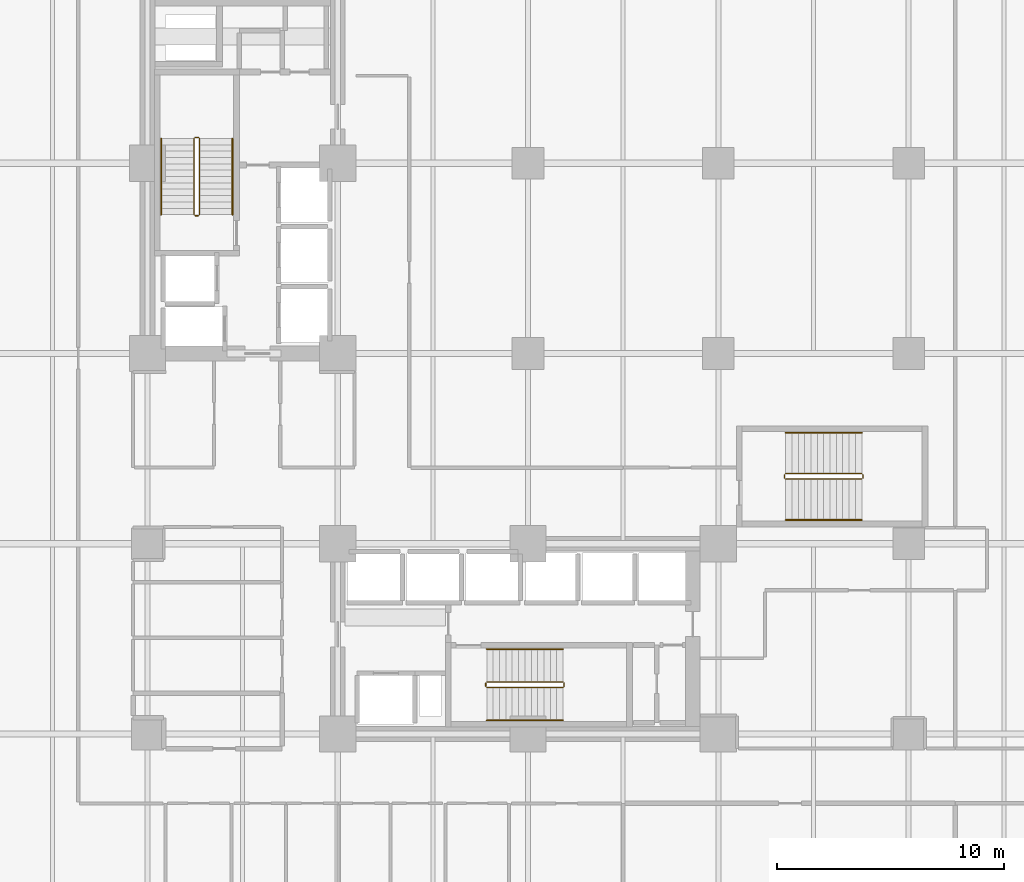
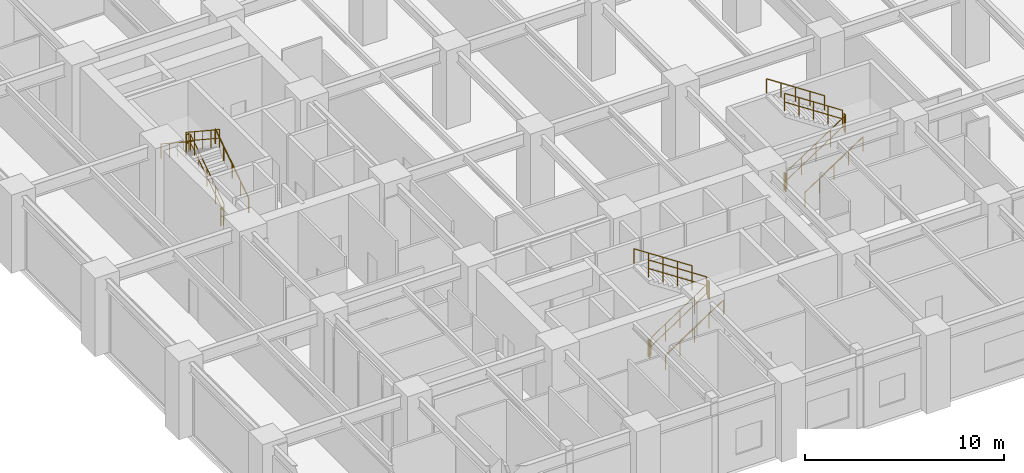
# One storey, part 24 of 24: 18 railings.
"""IFC4 building model written with IfcOpenShell, lengths in metres."""

from ifc_helpers import new_model, si_unit, direction, frame, origin, origin_2d, place, context, subcontext, project, spatial, circle, extrude, material, type_object, element, save


model = new_model("IFC4")

# Units and contexts
model_context = context("Model", 3, precision=1e-05, world=origin(), true_north=direction((0.0, 1.0)))
body_context = subcontext(model_context, "Body", "Model", "MODEL_VIEW")
ifc_project = project(units=[si_unit("LENGTHUNIT", "METRE"), si_unit("AREAUNIT", "SQUARE_METRE"), si_unit("VOLUMEUNIT", "CUBIC_METRE"), si_unit("PLANEANGLEUNIT", "RADIAN"), si_unit("MASSUNIT", "GRAM", prefix="KILO")], contexts=[model_context])

# Site, building, storey
site_placement = place(None, origin())
site = spatial("IfcSite", under=ifc_project, at=site_placement, CompositionType="ELEMENT")
building_placement = place(site_placement, origin())
building = spatial("IfcBuilding", under=site, at=building_placement, Name="Nerrivon Quay Data Exchange", CompositionType="ELEMENT")
storey_placement = place(building_placement, frame((0.0, 0.0, 10.199951171875)))
storey = spatial("IfcBuildingStorey", under=building, at=storey_placement, Name="L02", CompositionType="ELEMENT", Elevation=10.199951171875)

# Railings
ifc_material = material(Name="Steel Grade C350L0 (350 MPa)", Category="steel")
railing_type_1 = type_object("IfcRailingType", Name="RAIL-HAND-HR1", PredefinedType="HANDRAIL", material=ifc_material)
railing_1_placement = place(storey_placement, frame((12.14990234375, 31.330078125, 0.1845703125)))
element("IfcRailing", 1, at=railing_1_placement, inside=storey, type_object=railing_type_1, Name="L02 ST01 stair handrail 1", PredefinedType="HANDRAIL", context=body_context, shape_type="SweptSolid", body=[
    extrude(circle(Radius=0.02392578125, at=origin_2d()), frame((0.0, 0.0, 0.8759765625), z_axis=(0.0, 0.83483021737, 0.550507500554), x_axis=(-1.0, 0.0, 0.0)), (0.0, 0.0, 1.0), 4.024658203125),
    extrude(circle(Radius=0.02099609375, at=origin_2d()), origin(), (0.0, 0.0, 1.0), 0.851806640625),
    extrude(circle(Radius=0.02099609375, at=origin_2d()), frame((0.0, 0.83984375, 0.553955078125)), (0.0, 0.0, 1.0), 0.851806640625),
    extrude(circle(Radius=0.02099609375, at=origin_2d()), frame((0.0, 1.679931640625, 1.10791015625)), (0.0, 0.0, 1.0), 0.851806640625),
    extrude(circle(Radius=0.02099609375, at=origin_2d()), frame((0.0, 2.52001953125, 1.66162109375)), (0.0, 0.0, 1.0), 0.851806640625),
    extrude(circle(Radius=0.02099609375, at=origin_2d()), frame((0.0, 3.35986328125, 2.215576171875)), (0.0, 0.0, 1.0), 0.851806640625),
])
railing_2_placement = place(storey_placement, frame((9.0, 34.68994140625, 2.584716796875)))
element("IfcRailing", 2, at=railing_2_placement, inside=storey, type_object=railing_type_1, Name="L02 ST01 stair handrail 2", PredefinedType="HANDRAIL", context=body_context, shape_type="SweptSolid", body=[
    extrude(circle(Radius=0.02392578125, at=origin_2d()), frame((0.0, 0.0, 0.8759765625), z_axis=(0.0, -0.834858096282, 0.550465220583), x_axis=(1.0, 0.0, 0.0)), (0.0, 0.0, 1.0), 4.0244140625),
    extrude(circle(Radius=0.02099609375, at=origin_2d()), origin(), (0.0, 0.0, 1.0), 0.851806640625),
    extrude(circle(Radius=0.02099609375, at=origin_2d()), frame((0.0, -0.83984375, 0.5537109375)), (0.0, 0.0, 1.0), 0.851806640625),
    extrude(circle(Radius=0.02099609375, at=origin_2d()), frame((0.0, -1.679931640625, 1.107666015625)), (0.0, 0.0, 1.0), 0.851806640625),
    extrude(circle(Radius=0.02099609375, at=origin_2d()), frame((0.0, -2.52001953125, 1.66162109375)), (0.0, 0.0, 1.0), 0.851806640625),
    extrude(circle(Radius=0.02099609375, at=origin_2d()), frame((0.0, -3.35986328125, 2.21533203125)), (0.0, 0.0, 1.0), 0.851806640625),
])
railing_3_placement = place(storey_placement, frame((23.3798828125, 9.0, 0.1845703125)))
element("IfcRailing", 3, at=railing_3_placement, inside=storey, type_object=railing_type_1, Name="L02 ST02 stair handrail 1", PredefinedType="HANDRAIL", context=body_context, shape_type="SweptSolid", body=[
    extrude(circle(Radius=0.02392578125, at=origin_2d()), frame((0.0, 0.0, 0.8759765625), z_axis=(0.834848600103, 0.0, 0.550479622607), x_axis=(0.0, 1.0, 0.0)), (0.0, 0.0, 1.0), 4.02490234375),
    extrude(circle(Radius=0.02099609375, at=origin_2d()), origin(), (0.0, 0.0, 1.0), 0.851806640625),
    extrude(circle(Radius=0.02099609375, at=origin_2d()), frame((0.840087890625, 0.0, 0.553955078125)), (0.0, 0.0, 1.0), 0.851806640625),
    extrude(circle(Radius=0.02099609375, at=origin_2d()), frame((1.68017578125, 0.0, 1.10791015625)), (0.0, 0.0, 1.0), 0.851806640625),
    extrude(circle(Radius=0.02099609375, at=origin_2d()), frame((2.52001953125, 0.0, 1.66162109375)), (0.0, 0.0, 1.0), 0.851806640625),
    extrude(circle(Radius=0.02099609375, at=origin_2d()), frame((3.360107421875, 0.0, 2.215576171875)), (0.0, 0.0, 1.0), 0.851806640625),
])
railing_4_placement = place(storey_placement, frame((26.739990234375, 12.14990234375, 2.584716796875)))
element("IfcRailing", 4, at=railing_4_placement, inside=storey, type_object=railing_type_1, Name="L02 ST02 stair handrail 2", PredefinedType="HANDRAIL", context=body_context, shape_type="SweptSolid", body=[
    extrude(circle(Radius=0.02392578125, at=origin_2d()), frame((0.0, 0.0, 0.8759765625), z_axis=(-0.834876476806, 0.0, 0.550437342915), x_axis=(0.0, -1.0, 0.0)), (0.0, 0.0, 1.0), 4.024658203125),
    extrude(circle(Radius=0.02099609375, at=origin_2d()), origin(), (0.0, 0.0, 1.0), 0.851806640625),
    extrude(circle(Radius=0.02099609375, at=origin_2d()), frame((-0.840087890625, 0.0, 0.5537109375)), (0.0, 0.0, 1.0), 0.851806640625),
    extrude(circle(Radius=0.02099609375, at=origin_2d()), frame((-1.68017578125, 0.0, 1.107666015625)), (0.0, 0.0, 1.0), 0.851806640625),
    extrude(circle(Radius=0.02099609375, at=origin_2d()), frame((-2.52001953125, 0.0, 1.66162109375)), (0.0, 0.0, 1.0), 0.851806640625),
    extrude(circle(Radius=0.02099609375, at=origin_2d()), frame((-3.360107421875, 0.0, 2.21533203125)), (0.0, 0.0, 1.0), 0.851806640625),
])
railing_5_placement = place(storey_placement, frame((36.570068359375, 17.85009765625, 0.1845703125)))
element("IfcRailing", 5, at=railing_5_placement, inside=storey, type_object=railing_type_1, Name="L02 ST03 stair handrail 1", PredefinedType="HANDRAIL", context=body_context, shape_type="SweptSolid", body=[
    extrude(circle(Radius=0.02392578125, at=origin_2d()), frame((0.0, 0.0, 0.8759765625), z_axis=(0.83483021737, 0.0, 0.550507500554), x_axis=(0.0, 1.0, 0.0)), (0.0, 0.0, 1.0), 4.024658203125),
    extrude(circle(Radius=0.02099609375, at=origin_2d()), origin(), (0.0, 0.0, 1.0), 0.851806640625),
    extrude(circle(Radius=0.02099609375, at=origin_2d()), frame((0.83984375, 0.0, 0.553955078125)), (0.0, 0.0, 1.0), 0.851806640625),
    extrude(circle(Radius=0.02099609375, at=origin_2d()), frame((1.679931640625, 0.0, 1.10791015625)), (0.0, 0.0, 1.0), 0.851806640625),
    extrude(circle(Radius=0.02099609375, at=origin_2d()), frame((2.52001953125, 0.0, 1.66162109375)), (0.0, 0.0, 1.0), 0.851806640625),
    extrude(circle(Radius=0.02099609375, at=origin_2d()), frame((3.35986328125, 0.0, 2.215576171875)), (0.0, 0.0, 1.0), 0.851806640625),
])
railing_6_placement = place(storey_placement, frame((39.929931640625, 21.699951171875, 2.584716796875)))
element("IfcRailing", 6, at=railing_6_placement, inside=storey, type_object=railing_type_1, Name="L02 ST03 stair handrail 2", PredefinedType="HANDRAIL", context=body_context, shape_type="SweptSolid", body=[
    extrude(circle(Radius=0.02392578125, at=origin_2d()), frame((0.0, 0.0, 0.8759765625), z_axis=(-0.834858096282, 0.0, 0.550465220583), x_axis=(0.0, -1.0, 0.0)), (0.0, 0.0, 1.0), 4.0244140625),
    extrude(circle(Radius=0.02099609375, at=origin_2d()), origin(), (0.0, 0.0, 1.0), 0.851806640625),
    extrude(circle(Radius=0.02099609375, at=origin_2d()), frame((-0.83984375, 0.0, 0.5537109375)), (0.0, 0.0, 1.0), 0.851806640625),
    extrude(circle(Radius=0.02099609375, at=origin_2d()), frame((-1.679931640625, 0.0, 1.107666015625)), (0.0, 0.0, 1.0), 0.851806640625),
    extrude(circle(Radius=0.02099609375, at=origin_2d()), frame((-2.52001953125, 0.0, 1.66162109375)), (0.0, 0.0, 1.0), 0.851806640625),
    extrude(circle(Radius=0.02099609375, at=origin_2d()), frame((-3.35986328125, 0.0, 2.21533203125)), (0.0, 0.0, 1.0), 0.851806640625),
])
railing_type_2 = type_object("IfcRailingType", Name="RAIL-STAIR-GR1", PredefinedType="BALUSTRADE", material=ifc_material)
railing_7_placement = place(storey_placement, frame((10.699951171875, 31.330078125, 0.1845703125)))
element("IfcRailing", 7, at=railing_7_placement, inside=storey, type_object=railing_type_2, Name="L02 ST01 stair guard 1", PredefinedType="BALUSTRADE", context=body_context, shape_type="SweptSolid", body=[
    extrude(circle(Radius=0.02392578125, at=origin_2d()), frame((0.0, 0.0, 1.076171875), z_axis=(0.0, 0.83483021737, 0.550507500554), x_axis=(-1.0, 0.0, 0.0)), (0.0, 0.0, 1.0), 4.024658203125),
    extrude(circle(Radius=0.02392578125, at=origin_2d()), frame((0.0, 0.0, 0.550048828125), z_axis=(0.0, 0.83483021737, 0.550507500554), x_axis=(-1.0, 0.0, 0.0)), (0.0, 0.0, 1.0), 4.024658203125),
    extrude(circle(Radius=0.02099609375, at=origin_2d()), origin(), (0.0, 0.0, 1.0), 1.052001953125),
    extrude(circle(Radius=0.02099609375, at=origin_2d()), frame((0.0, 0.83984375, 0.553955078125)), (0.0, 0.0, 1.0), 1.052001953125),
    extrude(circle(Radius=0.02099609375, at=origin_2d()), frame((0.0, 1.679931640625, 1.10791015625)), (0.0, 0.0, 1.0), 1.052001953125),
    extrude(circle(Radius=0.02099609375, at=origin_2d()), frame((0.0, 2.52001953125, 1.66162109375)), (0.0, 0.0, 1.0), 1.052001953125),
    extrude(circle(Radius=0.02099609375, at=origin_2d()), frame((0.0, 3.35986328125, 2.215576171875)), (0.0, 0.0, 1.0), 1.052001953125),
])
railing_8_placement = place(storey_placement, frame((10.64990234375, 34.739990234375, 2.400146484375)))
element("IfcRailing", 8, at=railing_8_placement, inside=storey, type_object=railing_type_2, Name="L02 ST01 stair guard 2", PredefinedType="BALUSTRADE", context=body_context, shape_type="SweptSolid", body=[
    extrude(circle(Radius=0.02392578125, at=origin_2d()), frame((0.0, 0.0, 1.076171875), z_axis=(-1.0, 0.0, 0.0), x_axis=(0.0, -1.0, 0.0)), (0.0, 0.0, 1.0), 0.14990234375),
    extrude(circle(Radius=0.02392578125, at=origin_2d()), frame((0.0, 0.0, 0.550048828125), z_axis=(-1.0, 0.0, 0.0), x_axis=(0.0, -1.0, 0.0)), (0.0, 0.0, 1.0), 0.14990234375),
    extrude(circle(Radius=0.02099609375, at=origin_2d()), origin(), (0.0, 0.0, 1.0), 1.052001953125),
    extrude(circle(Radius=0.02099609375, at=origin_2d()), frame((-0.14990234375, 0.0, 0.0)), (0.0, 0.0, 1.0), 1.052001953125),
])
railing_9_placement = place(storey_placement, frame((10.449951171875, 34.68994140625, 2.584716796875)))
element("IfcRailing", 9, at=railing_9_placement, inside=storey, type_object=railing_type_2, Name="L02 ST01 stair guard 3", PredefinedType="BALUSTRADE", context=body_context, shape_type="SweptSolid", body=[
    extrude(circle(Radius=0.02392578125, at=origin_2d()), frame((0.0, 0.0, 1.076171875), z_axis=(0.0, -0.834858096282, 0.550465220583), x_axis=(1.0, 0.0, 0.0)), (0.0, 0.0, 1.0), 4.0244140625),
    extrude(circle(Radius=0.02392578125, at=origin_2d()), frame((0.0, 0.0, 0.550048828125), z_axis=(0.0, -0.834858096282, 0.550465220583), x_axis=(1.0, 0.0, 0.0)), (0.0, 0.0, 1.0), 4.0244140625),
    extrude(circle(Radius=0.02099609375, at=origin_2d()), origin(), (0.0, 0.0, 1.0), 1.052001953125),
    extrude(circle(Radius=0.02099609375, at=origin_2d()), frame((0.0, -0.83984375, 0.5537109375)), (0.0, 0.0, 1.0), 1.052001953125),
    extrude(circle(Radius=0.02099609375, at=origin_2d()), frame((0.0, -1.679931640625, 1.107666015625)), (0.0, 0.0, 1.0), 1.052001953125),
    extrude(circle(Radius=0.02099609375, at=origin_2d()), frame((0.0, -2.52001953125, 1.66162109375)), (0.0, 0.0, 1.0), 1.052001953125),
    extrude(circle(Radius=0.02099609375, at=origin_2d()), frame((0.0, -3.35986328125, 2.21533203125)), (0.0, 0.0, 1.0), 1.052001953125),
])
railing_10_placement = place(storey_placement, frame((10.64990234375, 31.280029296875, 0.0)))
element("IfcRailing", 10, at=railing_10_placement, inside=storey, type_object=railing_type_2, Name="L02 ST01 stair guard 4", PredefinedType="BALUSTRADE", context=body_context, shape_type="SweptSolid", body=[
    extrude(circle(Radius=0.02392578125, at=origin_2d()), frame((0.0, 0.0, 1.076171875), z_axis=(-1.0, 0.0, 0.0), x_axis=(0.0, -1.0, 0.0)), (0.0, 0.0, 1.0), 0.14990234375),
    extrude(circle(Radius=0.02392578125, at=origin_2d()), frame((0.0, 0.0, 0.550048828125), z_axis=(-1.0, 0.0, 0.0), x_axis=(0.0, -1.0, 0.0)), (0.0, 0.0, 1.0), 0.14990234375),
    extrude(circle(Radius=0.02099609375, at=origin_2d()), origin(), (0.0, 0.0, 1.0), 1.052001953125),
    extrude(circle(Radius=0.02099609375, at=origin_2d()), frame((-0.14990234375, 0.0, 0.0)), (0.0, 0.0, 1.0), 1.052001953125),
])
railing_11_placement = place(storey_placement, frame((23.3798828125, 10.449951171875, 0.1845703125)))
element("IfcRailing", 11, at=railing_11_placement, inside=storey, type_object=railing_type_2, Name="L02 ST02 stair guard 1", PredefinedType="BALUSTRADE", context=body_context, shape_type="SweptSolid", body=[
    extrude(circle(Radius=0.02392578125, at=origin_2d()), frame((0.0, 0.0, 1.076171875), z_axis=(0.834848600103, 0.0, 0.550479622607), x_axis=(0.0, 1.0, 0.0)), (0.0, 0.0, 1.0), 4.02490234375),
    extrude(circle(Radius=0.02392578125, at=origin_2d()), frame((0.0, 0.0, 0.550048828125), z_axis=(0.834848600103, 0.0, 0.550479622607), x_axis=(0.0, 1.0, 0.0)), (0.0, 0.0, 1.0), 4.02490234375),
    extrude(circle(Radius=0.02099609375, at=origin_2d()), origin(), (0.0, 0.0, 1.0), 1.052001953125),
    extrude(circle(Radius=0.02099609375, at=origin_2d()), frame((0.840087890625, 0.0, 0.553955078125)), (0.0, 0.0, 1.0), 1.052001953125),
    extrude(circle(Radius=0.02099609375, at=origin_2d()), frame((1.68017578125, 0.0, 1.10791015625)), (0.0, 0.0, 1.0), 1.052001953125),
    extrude(circle(Radius=0.02099609375, at=origin_2d()), frame((2.52001953125, 0.0, 1.66162109375)), (0.0, 0.0, 1.0), 1.052001953125),
    extrude(circle(Radius=0.02099609375, at=origin_2d()), frame((3.360107421875, 0.0, 2.215576171875)), (0.0, 0.0, 1.0), 1.052001953125),
])
railing_12_placement = place(storey_placement, frame((26.7900390625, 10.5, 2.400146484375)))
element("IfcRailing", 12, at=railing_12_placement, inside=storey, type_object=railing_type_2, Name="L02 ST02 stair guard 2", PredefinedType="BALUSTRADE", context=body_context, shape_type="SweptSolid", body=[
    extrude(circle(Radius=0.02392578125, at=origin_2d()), frame((0.0, 0.0, 1.076171875), z_axis=(0.0, 1.0, 0.0), x_axis=(-1.0, 0.0, 0.0)), (0.0, 0.0, 1.0), 0.14990234375),
    extrude(circle(Radius=0.02392578125, at=origin_2d()), frame((0.0, 0.0, 0.550048828125), z_axis=(0.0, 1.0, 0.0), x_axis=(-1.0, 0.0, 0.0)), (0.0, 0.0, 1.0), 0.14990234375),
    extrude(circle(Radius=0.02099609375, at=origin_2d()), origin(), (0.0, 0.0, 1.0), 1.052001953125),
    extrude(circle(Radius=0.02099609375, at=origin_2d()), frame((0.0, 0.14990234375, 0.0)), (0.0, 0.0, 1.0), 1.052001953125),
])
railing_13_placement = place(storey_placement, frame((26.739990234375, 10.699951171875, 2.584716796875)))
element("IfcRailing", 13, at=railing_13_placement, inside=storey, type_object=railing_type_2, Name="L02 ST02 stair guard 3", PredefinedType="BALUSTRADE", context=body_context, shape_type="SweptSolid", body=[
    extrude(circle(Radius=0.02392578125, at=origin_2d()), frame((0.0, 0.0, 1.076171875), z_axis=(-0.834876476806, 0.0, 0.550437342915), x_axis=(0.0, -1.0, 0.0)), (0.0, 0.0, 1.0), 4.024658203125),
    extrude(circle(Radius=0.02392578125, at=origin_2d()), frame((0.0, 0.0, 0.550048828125), z_axis=(-0.834876476806, 0.0, 0.550437342915), x_axis=(0.0, -1.0, 0.0)), (0.0, 0.0, 1.0), 4.024658203125),
    extrude(circle(Radius=0.02099609375, at=origin_2d()), origin(), (0.0, 0.0, 1.0), 1.052001953125),
    extrude(circle(Radius=0.02099609375, at=origin_2d()), frame((-0.840087890625, 0.0, 0.5537109375)), (0.0, 0.0, 1.0), 1.052001953125),
    extrude(circle(Radius=0.02099609375, at=origin_2d()), frame((-1.68017578125, 0.0, 1.107666015625)), (0.0, 0.0, 1.0), 1.052001953125),
    extrude(circle(Radius=0.02099609375, at=origin_2d()), frame((-2.52001953125, 0.0, 1.66162109375)), (0.0, 0.0, 1.0), 1.052001953125),
    extrude(circle(Radius=0.02099609375, at=origin_2d()), frame((-3.360107421875, 0.0, 2.21533203125)), (0.0, 0.0, 1.0), 1.052001953125),
])
railing_14_placement = place(storey_placement, frame((23.330078125, 10.5, 0.0)))
element("IfcRailing", 14, at=railing_14_placement, inside=storey, type_object=railing_type_2, Name="L02 ST02 stair guard 4", PredefinedType="BALUSTRADE", context=body_context, shape_type="SweptSolid", body=[
    extrude(circle(Radius=0.02392578125, at=origin_2d()), frame((0.0, 0.0, 1.076171875), z_axis=(0.0, 1.0, 0.0), x_axis=(-1.0, 0.0, 0.0)), (0.0, 0.0, 1.0), 0.14990234375),
    extrude(circle(Radius=0.02392578125, at=origin_2d()), frame((0.0, 0.0, 0.550048828125), z_axis=(0.0, 1.0, 0.0), x_axis=(-1.0, 0.0, 0.0)), (0.0, 0.0, 1.0), 0.14990234375),
    extrude(circle(Radius=0.02099609375, at=origin_2d()), origin(), (0.0, 0.0, 1.0), 1.052001953125),
    extrude(circle(Radius=0.02099609375, at=origin_2d()), frame((0.0, 0.14990234375, 0.0)), (0.0, 0.0, 1.0), 1.052001953125),
])
railing_15_placement = place(storey_placement, frame((36.570068359375, 19.64990234375, 0.1845703125)))
element("IfcRailing", 15, at=railing_15_placement, inside=storey, type_object=railing_type_2, Name="L02 ST03 stair guard 1", PredefinedType="BALUSTRADE", context=body_context, shape_type="SweptSolid", body=[
    extrude(circle(Radius=0.02392578125, at=origin_2d()), frame((0.0, 0.0, 1.076171875), z_axis=(0.83483021737, 0.0, 0.550507500554), x_axis=(0.0, 1.0, 0.0)), (0.0, 0.0, 1.0), 4.024658203125),
    extrude(circle(Radius=0.02392578125, at=origin_2d()), frame((0.0, 0.0, 0.550048828125), z_axis=(0.83483021737, 0.0, 0.550507500554), x_axis=(0.0, 1.0, 0.0)), (0.0, 0.0, 1.0), 4.024658203125),
    extrude(circle(Radius=0.02099609375, at=origin_2d()), origin(), (0.0, 0.0, 1.0), 1.052001953125),
    extrude(circle(Radius=0.02099609375, at=origin_2d()), frame((0.83984375, 0.0, 0.553955078125)), (0.0, 0.0, 1.0), 1.052001953125),
    extrude(circle(Radius=0.02099609375, at=origin_2d()), frame((1.679931640625, 0.0, 1.10791015625)), (0.0, 0.0, 1.0), 1.052001953125),
    extrude(circle(Radius=0.02099609375, at=origin_2d()), frame((2.52001953125, 0.0, 1.66162109375)), (0.0, 0.0, 1.0), 1.052001953125),
    extrude(circle(Radius=0.02099609375, at=origin_2d()), frame((3.35986328125, 0.0, 2.215576171875)), (0.0, 0.0, 1.0), 1.052001953125),
])
railing_16_placement = place(storey_placement, frame((39.97998046875, 19.699951171875, 2.400146484375)))
element("IfcRailing", 16, at=railing_16_placement, inside=storey, type_object=railing_type_2, Name="L02 ST03 stair guard 2", PredefinedType="BALUSTRADE", context=body_context, shape_type="SweptSolid", body=[
    extrude(circle(Radius=0.02392578125, at=origin_2d()), frame((0.0, 0.0, 1.076171875), z_axis=(0.0, 1.0, 0.0), x_axis=(-1.0, 0.0, 0.0)), (0.0, 0.0, 1.0), 0.150146484375),
    extrude(circle(Radius=0.02392578125, at=origin_2d()), frame((0.0, 0.0, 0.550048828125), z_axis=(0.0, 1.0, 0.0), x_axis=(-1.0, 0.0, 0.0)), (0.0, 0.0, 1.0), 0.150146484375),
    extrude(circle(Radius=0.02099609375, at=origin_2d()), origin(), (0.0, 0.0, 1.0), 1.052001953125),
    extrude(circle(Radius=0.02099609375, at=origin_2d()), frame((0.0, 0.150146484375, 0.0)), (0.0, 0.0, 1.0), 1.052001953125),
])
railing_17_placement = place(storey_placement, frame((39.929931640625, 19.89990234375, 2.584716796875)))
element("IfcRailing", 17, at=railing_17_placement, inside=storey, type_object=railing_type_2, Name="L02 ST03 stair guard 3", PredefinedType="BALUSTRADE", context=body_context, shape_type="SweptSolid", body=[
    extrude(circle(Radius=0.02392578125, at=origin_2d()), frame((0.0, 0.0, 1.076171875), z_axis=(-0.834858096282, 0.0, 0.550465220583), x_axis=(0.0, -1.0, 0.0)), (0.0, 0.0, 1.0), 4.0244140625),
    extrude(circle(Radius=0.02392578125, at=origin_2d()), frame((0.0, 0.0, 0.550048828125), z_axis=(-0.834858096282, 0.0, 0.550465220583), x_axis=(0.0, -1.0, 0.0)), (0.0, 0.0, 1.0), 4.0244140625),
    extrude(circle(Radius=0.02099609375, at=origin_2d()), origin(), (0.0, 0.0, 1.0), 1.052001953125),
    extrude(circle(Radius=0.02099609375, at=origin_2d()), frame((-0.83984375, 0.0, 0.5537109375)), (0.0, 0.0, 1.0), 1.052001953125),
    extrude(circle(Radius=0.02099609375, at=origin_2d()), frame((-1.679931640625, 0.0, 1.107666015625)), (0.0, 0.0, 1.0), 1.052001953125),
    extrude(circle(Radius=0.02099609375, at=origin_2d()), frame((-2.52001953125, 0.0, 1.66162109375)), (0.0, 0.0, 1.0), 1.052001953125),
    extrude(circle(Radius=0.02099609375, at=origin_2d()), frame((-3.35986328125, 0.0, 2.21533203125)), (0.0, 0.0, 1.0), 1.052001953125),
])
railing_18_placement = place(storey_placement, frame((36.52001953125, 19.699951171875, 0.0)))
element("IfcRailing", 18, at=railing_18_placement, inside=storey, type_object=railing_type_2, Name="L02 ST03 stair guard 4", PredefinedType="BALUSTRADE", context=body_context, shape_type="SweptSolid", body=[
    extrude(circle(Radius=0.02392578125, at=origin_2d()), frame((0.0, 0.0, 1.076171875), z_axis=(0.0, 1.0, 0.0), x_axis=(-1.0, 0.0, 0.0)), (0.0, 0.0, 1.0), 0.150146484375),
    extrude(circle(Radius=0.02392578125, at=origin_2d()), frame((0.0, 0.0, 0.550048828125), z_axis=(0.0, 1.0, 0.0), x_axis=(-1.0, 0.0, 0.0)), (0.0, 0.0, 1.0), 0.150146484375),
    extrude(circle(Radius=0.02099609375, at=origin_2d()), origin(), (0.0, 0.0, 1.0), 1.052001953125),
    extrude(circle(Radius=0.02099609375, at=origin_2d()), frame((0.0, 0.150146484375, 0.0)), (0.0, 0.0, 1.0), 1.052001953125),
])

save(model, "model.ifc")
